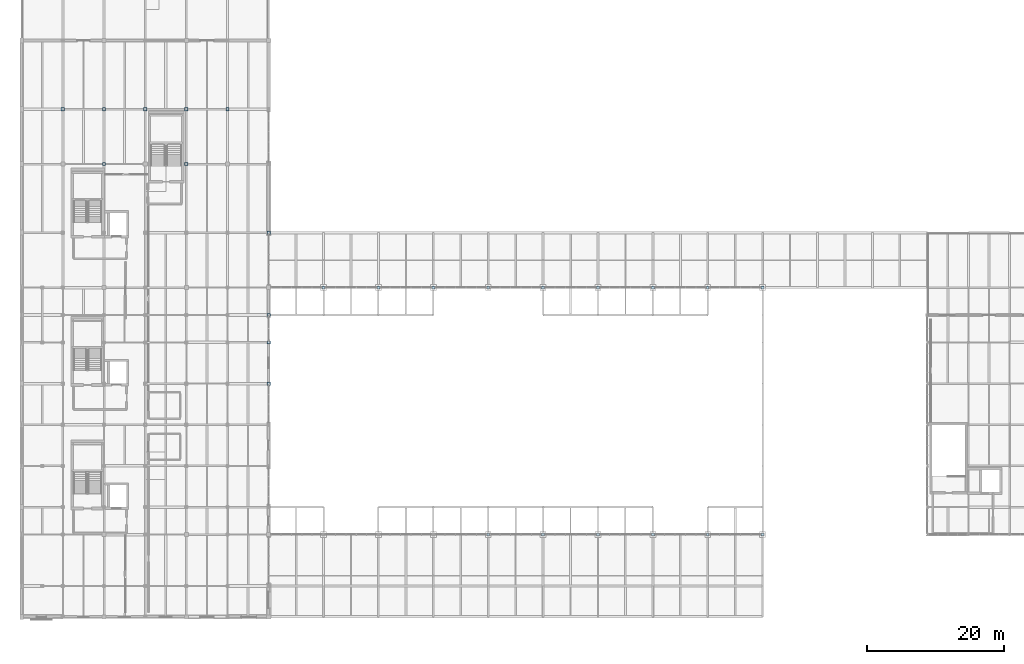
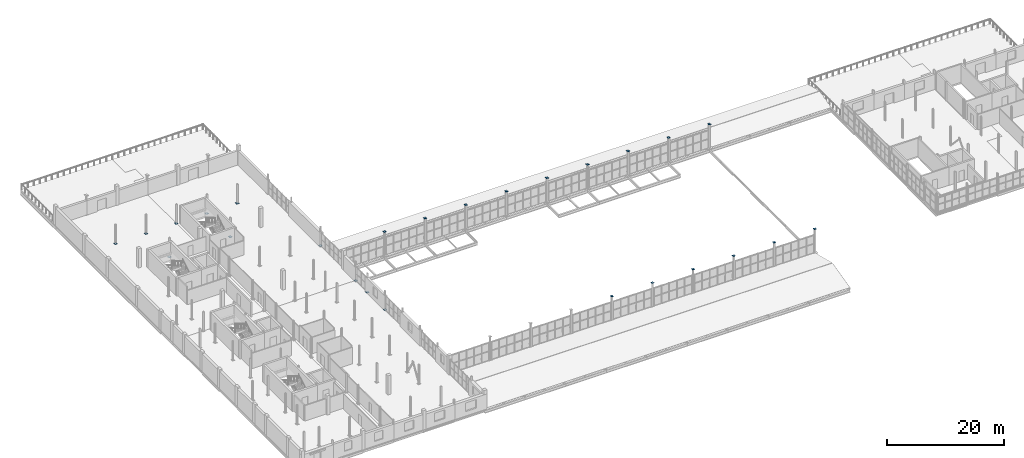
# One storey, part 84 of 96: 26 plates.
"""IFC4 building model written with IfcOpenShell, lengths in metres."""

import ifcopenshell
import ifcopenshell.guid

model = None  # the IFC model being written
_history = None  # IfcOwnerHistory: only IFC2X3 demands one
_inside = {}  # id of a spatial element -> (the spatial element, [elements in it])
_under = {}  # id of a project, library or spatial element -> (it, [spatial elements below it])
_declared = {}  # id of a project -> (the project, [libraries it declares])
_typed = {}  # id of a type object -> (the type object, [elements of that type])
_made_of = {}  # id of a material, layer set ... -> (it, [elements and type objects made of it])


def new_model(schema):
    """Start an empty IFC model of exactly this schema.

    Asked for "IFC4X3", IfcOpenShell would pick the latest addendum, in which some entities
    have other attributes; the version numbers below select the first issue.
    IFC2X3 requires an IfcOwnerHistory on every rooted entity: one is made here for all.
    """
    global model, _history
    if schema == "IFC4X3":
        model = ifcopenshell.file(schema_version=(4, 3, 0, 0))
    else:
        model = ifcopenshell.file(schema=schema)
    _inside.clear()
    _under.clear()
    _declared.clear()
    _typed.clear()
    _made_of.clear()
    _history = None
    if model.schema == "IFC2X3":
        org = make("IfcOrganization", Name="unknown")
        user = make(
            "IfcPersonAndOrganization",
            ThePerson=make("IfcPerson", FamilyName="unknown"),
            TheOrganization=org,
        )
        app = make(
            "IfcApplication",
            ApplicationDeveloper=org,
            Version="unknown",
            ApplicationFullName="unknown",
            ApplicationIdentifier="unknown",
        )
        _history = make(
            "IfcOwnerHistory",
            OwningUser=user,
            OwningApplication=app,
            ChangeAction="ADDED",
            CreationDate=0,
        )
    return model


def make(cls, **values):
    """One entity of the class cls with the attributes given. An attribute that is None is left unset."""
    return model.create_entity(
        cls, **{name: value for name, value in values.items() if value is not None}
    )


def rooted(cls, **values):
    """An entity with a GlobalId (a new one), such as an element, a storey or a relation."""
    return make(cls, GlobalId=ifcopenshell.guid.new(), OwnerHistory=_history, **values)


def si_unit(unit_type, name, prefix=None):
    """IfcSIUnit, for example si_unit("LENGTHUNIT", "METRE", prefix="MILLI")."""
    return make("IfcSIUnit", UnitType=unit_type, Prefix=prefix, Name=name)


def assignment(units):
    """IfcUnitAssignment: the units of a project."""
    return None if units is None else make("IfcUnitAssignment", Units=units)


def point(xyz):
    """IfcCartesianPoint."""
    return None if xyz is None else make("IfcCartesianPoint", Coordinates=xyz)


def direction(xyz):
    """IfcDirection."""
    return None if xyz is None else make("IfcDirection", DirectionRatios=xyz)


def frame(location, z_axis=None, x_axis=None):
    """IfcAxis2Placement3D, a coordinate frame: its origin and axes. An axis left out is left unset."""
    return make(
        "IfcAxis2Placement3D",
        Location=point(location),
        Axis=direction(z_axis),
        RefDirection=direction(x_axis),
    )


def frame_2d(location, x_axis=None):
    """IfcAxis2Placement2D, a coordinate frame in the plane: its origin and x axis."""
    return make(
        "IfcAxis2Placement2D", Location=point(location), RefDirection=direction(x_axis)
    )


def origin():
    """The frame at (0, 0, 0) with its axes left unset."""
    return frame((0.0, 0.0, 0.0))


def origin_2d():
    """The frame at (0, 0) in the plane with its x axis left unset."""
    return frame_2d((0.0, 0.0))


def place(relative_to, where):
    """IfcLocalPlacement: puts the frame where relative to a parent placement (None: the world)."""
    return make(
        "IfcLocalPlacement", PlacementRelTo=relative_to, RelativePlacement=where
    )


def context(
    kind, dimensions, precision=None, world=None, true_north=None, identifier=None
):
    """IfcGeometricRepresentationContext, for example the 3D "Model" context."""
    return make(
        "IfcGeometricRepresentationContext",
        ContextIdentifier=identifier,
        ContextType=kind,
        CoordinateSpaceDimension=dimensions,
        Precision=precision,
        WorldCoordinateSystem=world,
        TrueNorth=true_north,
    )


def subcontext(parent, identifier, kind, view, scale=None):
    """IfcGeometricRepresentationSubContext, for example "Body" below "Model"."""
    return make(
        "IfcGeometricRepresentationSubContext",
        ContextIdentifier=identifier,
        ContextType=kind,
        ParentContext=parent,
        TargetScale=scale,
        TargetView=view,
    )


def project(units=None, contexts=None):
    """IfcProject with its units and contexts."""
    return rooted(
        "IfcProject",
        Name="project",
        RepresentationContexts=contexts,
        UnitsInContext=assignment(units),
    )


def spatial(cls, under=None, at=None, **own):
    """A site, building, storey or space (cls), placed at a placement, below another one or the project."""
    s = rooted(cls, ObjectPlacement=at, **own)
    if under is not None:
        _under.setdefault(under.id(), (under, []))[1].append(s)
    return s


def profile(cls, at=None, kind="AREA", **sizes):
    """A parametric profile (cls). Its sizes go by their IFC names, for example OverallWidth=200.0."""
    return make(cls, ProfileType=kind, Position=at, **sizes)


def rectangle(**sizes):
    """IfcRectangleProfileDef."""
    return profile("IfcRectangleProfileDef", **sizes)


def extrude(swept, where, along, depth):
    """IfcExtrudedAreaSolid: the profile swept, set in the frame where, extruded along a direction by depth."""
    return make(
        "IfcExtrudedAreaSolid",
        SweptArea=swept,
        Position=where,
        ExtrudedDirection=direction(along),
        Depth=depth,
    )


def shape(context_of_items, identifier, shape_type, items):
    """IfcShapeRepresentation: the items that make up one representation, for example the "Body"."""
    return make(
        "IfcShapeRepresentation",
        ContextOfItems=context_of_items,
        RepresentationIdentifier=identifier,
        RepresentationType=shape_type,
        Items=items,
    )


def material(Name=None, Category=None):
    """IfcMaterial."""
    return make("IfcMaterial", Name=Name, Category=Category)


def layer(
    of_material, thickness, ventilated=None, Name=None, Category=None, Priority=None
):
    """IfcMaterialLayer: one layer of a wall or slab, of a material (None: an air gap)."""
    return make(
        "IfcMaterialLayer",
        Material=of_material,
        LayerThickness=thickness,
        IsVentilated=ventilated,
        Name=Name,
        Category=Category,
        Priority=Priority,
    )


def layer_set(layers, Name=None):
    """IfcMaterialLayerSet."""
    return make("IfcMaterialLayerSet", MaterialLayers=layers, LayerSetName=Name)


def made_of(thing, what):
    """Note that an element or type object is made of a material, layer set ...; save() writes the relation."""
    if what is not None:
        _made_of.setdefault(what.id(), (what, []))[1].append(thing)
    return thing


def type_object(cls, material=None, **own):
    """A type object (cls), such as IfcWallType, which elements share."""
    return made_of(rooted(cls, **own), material)


def element(
    cls,
    number,
    at=None,
    inside=None,
    cuts=None,
    type_object=None,
    material=None,
    context=None,
    identifier="Body",
    shape_type=None,
    held_by="IfcProductDefinitionShape",
    body=None,
    shapes=None,
    **own,
):
    """One element of the class cls, such as IfcWall. Its Tag is "e" and its number.

    at: its placement. inside: the storey or other place that contains it. cuts: it is an
    opening in that element (IfcRelVoidsElement). A single representation is given by context,
    identifier, shape_type and body (its items); several are given by shapes. held_by: the class
    of the entity that holds the representations. save() writes the other relations.
    """
    e = rooted(cls, Tag="e%d" % number, ObjectPlacement=at, **own)
    if body is not None:
        shapes = [shape(context, identifier, shape_type, body)]
    if shapes is not None:
        e.Representation = make(held_by, Representations=shapes)
    if inside is not None:
        _inside.setdefault(inside.id(), (inside, []))[1].append(e)
    if cuts is not None:
        rooted(
            "IfcRelVoidsElement", RelatingBuildingElement=cuts, RelatedOpeningElement=e
        )
    if type_object is not None:
        _typed.setdefault(type_object.id(), (type_object, []))[1].append(e)
    return made_of(e, material)


def aggregate(whole, parts):
    """IfcRelAggregates: a whole, such as a stair, and the parts it consists of."""
    return rooted("IfcRelAggregates", RelatingObject=whole, RelatedObjects=parts)


def save(model, path):
    """Write the relations noted so far, then the file.

    IfcRelAggregates (storeys below a building ...), IfcRelContainedInSpatialStructure (elements
    in a storey), IfcRelDefinesByType, IfcRelAssociatesMaterial and IfcRelDeclares: one each for
    every whole, place, type object, material and project.
    """
    for whole, parts in _under.values():
        aggregate(whole, parts)
    for where, things in _inside.values():
        rooted(
            "IfcRelContainedInSpatialStructure",
            RelatedElements=things,
            RelatingStructure=where,
        )
    for kind, things in _typed.values():
        rooted("IfcRelDefinesByType", RelatedObjects=things, RelatingType=kind)
    for what, things in _made_of.values():
        rooted("IfcRelAssociatesMaterial", RelatedObjects=things, RelatingMaterial=what)
    for by, libraries in _declared.values():
        rooted("IfcRelDeclares", RelatingContext=by, RelatedDefinitions=libraries)
    model.write(path)


model = new_model("IFC4")

# Units and contexts
model_context = context("Model", 3, precision=1e-05, world=origin(), true_north=direction((0.0, 1.0)))
body_context = subcontext(model_context, "Body", "Model", "MODEL_VIEW")
ifc_project = project(units=[si_unit("LENGTHUNIT", "METRE"), si_unit("AREAUNIT", "SQUARE_METRE"), si_unit("VOLUMEUNIT", "CUBIC_METRE"), si_unit("PLANEANGLEUNIT", "RADIAN"), si_unit("MASSUNIT", "GRAM", prefix="KILO")], contexts=[model_context])

# Site, building, storey
site_placement = place(None, origin())
site = spatial("IfcSite", under=ifc_project, at=site_placement, CompositionType="ELEMENT")
building_placement = place(site_placement, origin())
building = spatial("IfcBuilding", under=site, at=building_placement, Name="Verrall Gate Interchange", CompositionType="ELEMENT")
storey_placement = place(building_placement, frame((0.0, 0.0, 11.39990234375)))
storey = spatial("IfcBuildingStorey", under=building, at=storey_placement, Name="L03", CompositionType="ELEMENT", Elevation=11.39990234375)

# Plates
ifc_material = material(Name="Structural Steel CSA G40.21 350WT Cat 4", Category="steel")
ifc_layer = layer(ifc_material, 0.0400390625)
ifc_layer_set = layer_set([ifc_layer], Name="Structural Steel CSA G40.21 350WT Cat 4")
plate_type = type_object("IfcPlateType", Name="BP-01 Base Plate 40", PredefinedType="USERDEFINED", material=ifc_layer_set)
for number, where, z_axis, x_axis, name in (
    (1, (6.0, 74.0, -0.02001953125), (0.0, 0.0, 1.0), (1.0, 0.0, 0.0), "L03 Hollow Column Transition Cap Plate 0234"),
    (2, (12.0, 66.0, -0.02001953125), (0.0, 0.0, 1.0), (1.0, 0.0, 0.0), "L03 Hollow Column Transition Cap Plate 0344"),
    (3, (12.0, 74.0, -0.02001953125), (0.0, 0.0, 1.0), (1.0, 0.0, 0.0), "L03 Hollow Column Transition Cap Plate 0351"),
    (4, (18.0, 74.0, -0.02001953125), (0.0, 0.0, 1.0), (1.0, 0.0, 0.0), "L03 Hollow Column Transition Cap Plate 0468"),
    (5, (24.0, 66.0, -0.02001953125), (0.0, 0.0, 1.0), (1.0, 0.0, 0.0), "L03 Hollow Column Transition Cap Plate 0578"),
    (6, (24.0, 74.0, -0.02001953125), (0.0, 0.0, 1.0), (1.0, 0.0, 0.0), "L03 Hollow Column Transition Cap Plate 0585"),
    (7, (30.0, 74.0, -0.02001953125), (0.0, 0.0, 1.0), (1.0, 0.0, 0.0), "L03 Hollow Column Transition Cap Plate 0702"),
    (8, (36.0, 34.0, -0.02001953125), (0.0, 0.0, 1.0), (1.0, 0.0, 0.0), "L03 Hollow Column Transition Cap Plate 0765"),
    (9, (36.0, 40.0, -0.02001953125), (0.0, 0.0, 1.0), (1.0, 0.0, 0.0), "L03 Hollow Column Transition Cap Plate 0773"),
    (10, (36.0, 44.0, -0.02001953125), (0.0, 0.0, 1.0), (1.0, 0.0, 0.0), "L03 Hollow Column Transition Cap Plate 0781"),
    (11, (36.0, 56.0, -0.02001953125), (0.0, 0.0, 1.0), (1.0, 0.0, 0.0), "L03 Hollow Column Transition Cap Plate 0797"),
):
    element("IfcPlate", number, at=place(storey_placement, frame(where, z_axis=z_axis, x_axis=x_axis)), inside=storey, type_object=plate_type, Name=name, ObjectType="BASE_PLATE", PredefinedType="USERDEFINED", context=body_context, shape_type="SweptSolid", body=[
        extrude(rectangle(XDim=0.47998046875, YDim=0.47998046875, at=origin_2d()), origin(), (0.0, 0.0, 1.0), 0.0400390625),
    ])
for number, where, z_axis, x_axis, name in (
    (12, (44.0, 48.0, 4.9599609375), (0.0, 0.0, 1.0), (1.0, 0.0, 0.0), "Concourse Pier Top Cap Plate 1512"),
    (13, (52.0, 48.0, 4.9599609375), (0.0, 0.0, 1.0), (1.0, 0.0, 0.0), "Concourse Pier Top Cap Plate 1514"),
    (14, (60.0, 48.0, 4.9599609375), (0.0, 0.0, 1.0), (1.0, 0.0, 0.0), "Concourse Pier Top Cap Plate 1516"),
    (15, (68.0, 12.0, 4.9599609375), (0.0, 0.0, 1.0), (1.0, 0.0, 0.0), "Concourse Pier Top Cap Plate 1517"),
    (16, (68.0, 48.0, 4.9599609375), (0.0, 0.0, 1.0), (1.0, 0.0, 0.0), "Concourse Pier Top Cap Plate 1518"),
    (17, (76.0, 12.0, 4.9599609375), (0.0, 0.0, 1.0), (1.0, 0.0, 0.0), "Concourse Pier Top Cap Plate 1519"),
    (18, (76.0, 48.0, 4.9599609375), (0.0, 0.0, 1.0), (1.0, 0.0, 0.0), "Concourse Pier Top Cap Plate 1520"),
    (19, (84.0, 12.0, 4.9599609375), (0.0, 0.0, 1.0), (1.0, 0.0, 0.0), "Concourse Pier Top Cap Plate 1521"),
    (20, (84.0, 48.0, 4.9599609375), (0.0, 0.0, 1.0), (1.0, 0.0, 0.0), "Concourse Pier Top Cap Plate 1522"),
    (21, (92.0, 12.0, 4.9599609375), (0.0, 0.0, 1.0), (1.0, 0.0, 0.0), "Concourse Pier Top Cap Plate 1523"),
    (22, (92.0, 48.0, 4.9599609375), (0.0, 0.0, 1.0), (1.0, 0.0, 0.0), "Concourse Pier Top Cap Plate 1524"),
    (23, (100.0, 12.0, 4.9599609375), (0.0, 0.0, 1.0), (1.0, 0.0, 0.0), "Concourse Pier Top Cap Plate 1525"),
    (24, (100.0, 48.0, 4.9599609375), (0.0, 0.0, 1.0), (1.0, 0.0, 0.0), "Concourse Pier Top Cap Plate 1526"),
    (25, (108.0, 12.0, 4.9599609375), (0.0, 0.0, 1.0), (1.0, 0.0, 0.0), "Concourse Pier Top Cap Plate 1527"),
    (26, (108.0, 48.0, 4.9599609375), (0.0, 0.0, 1.0), (1.0, 0.0, 0.0), "Concourse Pier Top Cap Plate 1528"),
):
    element("IfcPlate", number, at=place(storey_placement, frame(where, z_axis=z_axis, x_axis=x_axis)), inside=storey, type_object=plate_type, Name=name, ObjectType="BASE_PLATE", PredefinedType="USERDEFINED", context=body_context, shape_type="SweptSolid", body=[
        extrude(rectangle(XDim=0.419921875, YDim=0.419921875, at=origin_2d()), origin(), (0.0, 0.0, 1.0), 0.0400390625),
    ])

save(model, "model.ifc")
